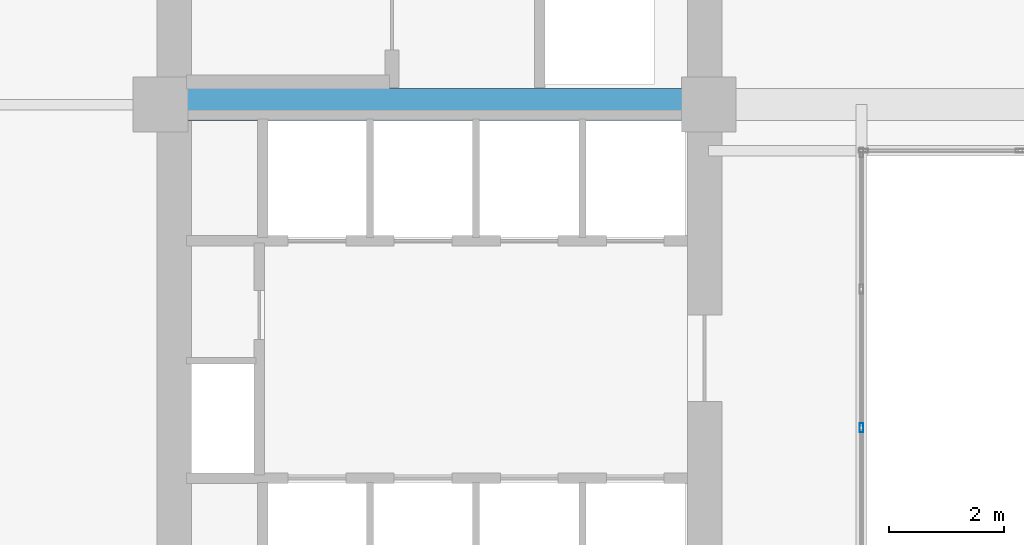
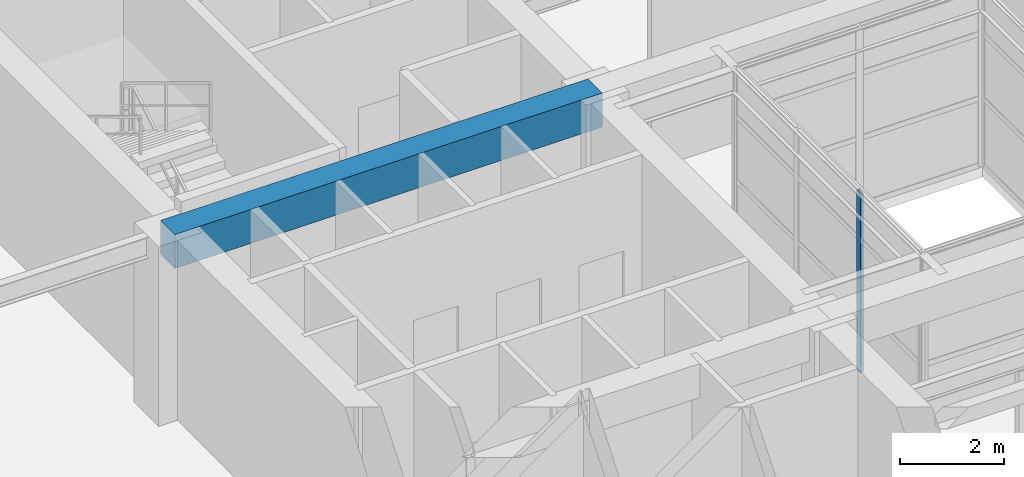
# One storey, part 3 of 10: 1 beam, 1 member, 1 element without a shape of its own.
"""IFC4 building model written with IfcOpenShell, lengths in metres."""

from ifc_helpers import new_model, si_unit, direction, frame, origin, origin_2d, place, context, subcontext, project, spatial, rectangle, hollow_rectangle, extrude, material, layer, layer_set, material_profile, profile_set, type_object, element, aggregate, save


model = new_model("IFC4")

# Units and contexts
model_context = context("Model", 3, precision=1e-05, world=origin(), true_north=direction((0.0, 1.0)))
body_context = subcontext(model_context, "Body", "Model", "MODEL_VIEW")
ifc_project = project(units=[si_unit("LENGTHUNIT", "METRE"), si_unit("AREAUNIT", "SQUARE_METRE"), si_unit("VOLUMEUNIT", "CUBIC_METRE"), si_unit("PLANEANGLEUNIT", "RADIAN"), si_unit("MASSUNIT", "GRAM", prefix="KILO")], contexts=[model_context])

# Site, building, storey
site_placement = place(None, origin())
site = spatial("IfcSite", under=ifc_project, at=site_placement, CompositionType="ELEMENT")
building_placement = place(site_placement, origin())
building = spatial("IfcBuilding", under=site, at=building_placement, Name="Kundavana Baori Tower", CompositionType="ELEMENT")
storey_placement = place(building_placement, frame((0.0, 0.0, 8.0)))
storey = spatial("IfcBuildingStorey", under=building, at=storey_placement, Name="L01", CompositionType="ELEMENT", Elevation=8.0)

# Beam
ifc_material_1 = material(Name="Concrete C50/60", Category="concrete")
ifc_material_profile_1 = material_profile(ifc_material_1, rectangle(XDim=0.550048828125, YDim=0.800048828125, at=origin_2d()), Name="RC BM 550x800")
ifc_profile_set_1 = profile_set([ifc_material_profile_1], Name="Concrete C50/60")
beam_type = type_object("IfcBeamType", Name="BM-RC-800", PredefinedType="BEAM", material=ifc_profile_set_1)
beam_placement = place(storey_placement, frame((15.449951171875, 33.0, 3.820068359375), z_axis=(1.0, 0.0, 0.0), x_axis=(0.0, 1.0, 0.0)))
element("IfcBeam", 1, at=beam_placement, inside=storey, type_object=beam_type, Name="L01 Primary Grid Girder GX-3-1", PredefinedType="BEAM", context=body_context, shape_type="SweptSolid", body=[
    extrude(rectangle(XDim=0.550048828125, YDim=0.800048828125, at=origin_2d()), origin(), (0.0, 0.0, 1.0), 9.5),
])

# Curtain wall, member
ifc_material_2 = material(Name="Thermally Broken Anodised Aluminium Framing", Category="aluminium")
ifc_layer = layer(ifc_material_2, 0.159912109375, Name="CW-SYS-1")
ifc_layer_set = layer_set([ifc_layer], Name="Thermally Broken Anodised Aluminium Framing")
curtain_wall_type = type_object("IfcCurtainWallType", Name="CW-SYS-1", PredefinedType="NOTDEFINED", material=ifc_layer_set)
curtain_wall_placement = place(storey_placement, origin())
curtain_wall = element("IfcCurtainWall", 2, at=curtain_wall_placement, inside=storey, type_object=curtain_wall_type, Name="L01 Atrium Glazed Curtain Wall W", PredefinedType="NOTDEFINED")
ifc_material_3 = material(Name="Thermally Broken Anodised Aluminium Framing", Category="aluminium")
ifc_material_profile_2 = material_profile(ifc_material_3, hollow_rectangle(XDim=0.06494140625, YDim=0.159912109375, WallThickness=0.00390625, at=origin_2d()), Name="CW-MULL-160")
ifc_profile_set_2 = profile_set([ifc_material_profile_2], Name="Thermally Broken Anodised Aluminium Framing")
member_type = type_object("IfcMemberType", Name="CW-MULL-160", PredefinedType="MULLION", material=ifc_profile_set_2)
member_placement = place(storey_placement, frame((27.60009765625, 27.39990234375, 0.0), z_axis=(0.0, 0.0, 1.0), x_axis=(1.0, 0.0, 0.0)))
member = element("IfcMember", 3, at=member_placement, type_object=member_type, Name="CW1 mullion 3", PredefinedType="MULLION", context=body_context, shape_type="SweptSolid", body=[
    extrude(hollow_rectangle(XDim=0.06494140625, YDim=0.159912109375, WallThickness=0.00390625, at=origin_2d()), origin(), (0.0, 0.0, 1.0), 4.219970703125),
])
aggregate(curtain_wall, [member])

save(model, "model.ifc")
